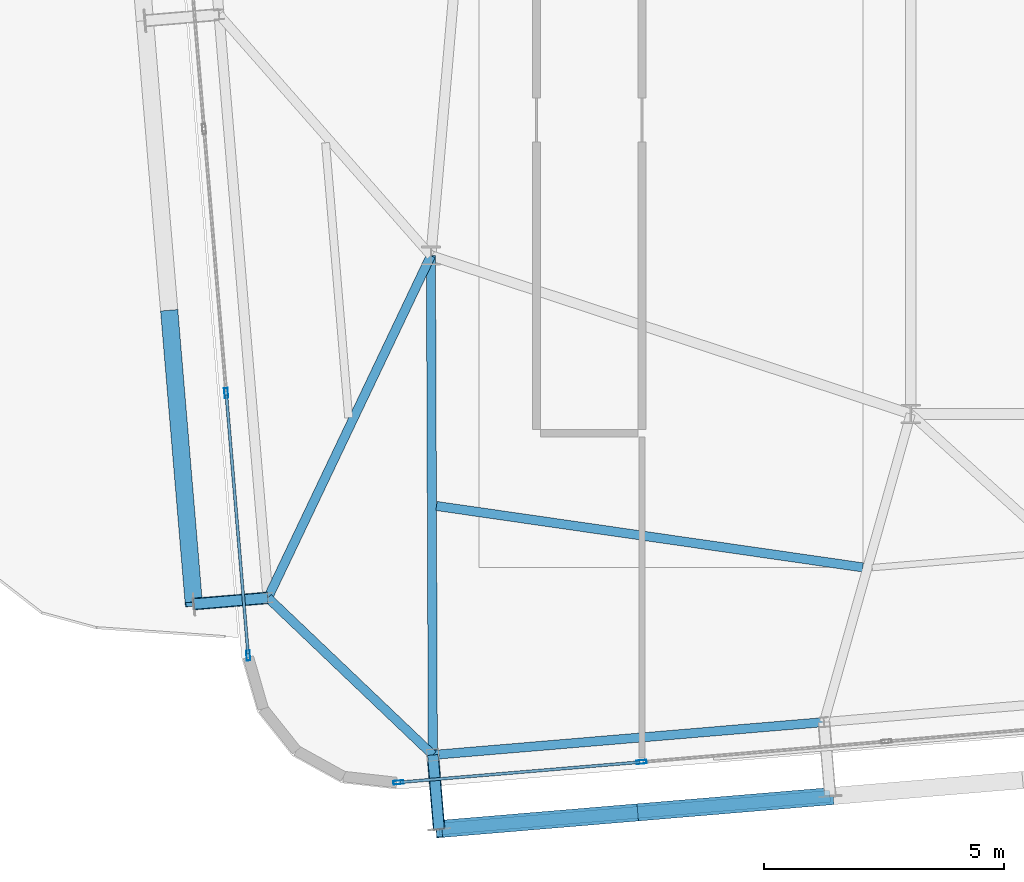
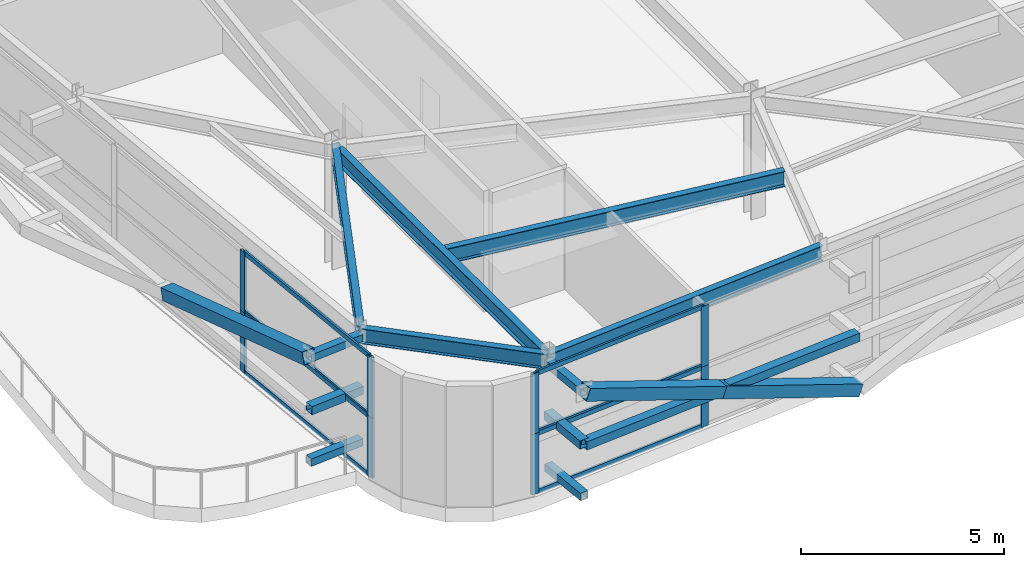
# One storey, part 7 of 38: 26 members, 5 beams, 4 elements without a shape of their own.
"""IFC4 building model written with IfcOpenShell, lengths in metres."""

from ifc_helpers import new_model, si_unit, direction, frame, origin, origin_2d, place, context, subcontext, project, spatial, hollow_rectangle, i_section, extrude, source, transform, mapped, material, layer, layer_set, material_profile, profile_set, type_object, element, aggregate, save


model = new_model("IFC4")

# Units and contexts
model_context = context("Model", 3, precision=1e-05, world=origin(), true_north=direction((0.0, 1.0)))
body_context = subcontext(model_context, "Body", "Model", "MODEL_VIEW")
ifc_project = project(units=[si_unit("LENGTHUNIT", "METRE"), si_unit("AREAUNIT", "SQUARE_METRE"), si_unit("VOLUMEUNIT", "CUBIC_METRE"), si_unit("PLANEANGLEUNIT", "RADIAN"), si_unit("MASSUNIT", "GRAM", prefix="KILO")], contexts=[model_context])

# Site, building, storey
site_placement = place(None, origin())
site = spatial("IfcSite", under=ifc_project, at=site_placement, CompositionType="ELEMENT")
building_placement = place(site_placement, origin())
building = spatial("IfcBuilding", under=site, at=building_placement, Name="Taldren Reach Tower", CompositionType="ELEMENT")
storey_placement = place(building_placement, frame((0.0, 0.0, 168.699951171875)))
storey = spatial("IfcBuildingStorey", under=building, at=storey_placement, Name="L51", CompositionType="ELEMENT", Elevation=168.699951171875)

# Member
ifc_material_1 = material(Name="Steel Gr 350 (C350L0)", Category="steel")
ifc_material_profile_1 = material_profile(ifc_material_1, hollow_rectangle(XDim=0.25, YDim=0.25, WallThickness=0.010009765625, at=origin_2d()), Name="250x250x10.0SHS")
ifc_profile_set_1 = profile_set([ifc_material_profile_1], Name="Steel Gr 350 (C350L0)")
member_type_1 = type_object("IfcMemberType", Name="MB-POST250", PredefinedType="POST", material=ifc_profile_set_1)
shared_shape_1 = source(origin(), body_context, "Body", "SweptSolid", [
    extrude(hollow_rectangle(XDim=0.25, YDim=0.25, WallThickness=0.010009765625, at=origin_2d()), origin(), (0.0, 0.0, 1.0), 1.5498046875),
])
member_1_placement = place(storey_placement, frame((18.03955078125, 2.093994140625, 1.78515625), z_axis=(0.083801560254, -0.996482462715, 0.0), x_axis=(0.996482462715, 0.083801560254, 0.0)))
element("IfcMember", 1, at=member_1_placement, inside=storey, type_object=member_type_1, Name="Exoskeleton mid-tier diaphragm tie B4-S1 L51", PredefinedType="POST", context=body_context, shape_type="MappedRepresentation", body=[
    mapped(shared_shape_1, transform((0.0, 0.0, 0.0), scale=1.0)),
])

# Beams
ifc_material_2 = material(Name="Steel Gr 350 (350PLUS)", Category="steel")
ifc_material_profile_2 = material_profile(ifc_material_2, i_section(OverallWidth=0.18994140625, OverallDepth=0.4541015625, WebThickness=0.008544921875, FlangeThickness=0.0126953125, at=origin_2d()), Name="460UB67.1")
ifc_profile_set_2 = profile_set([ifc_material_profile_2], Name="Steel Gr 350 (350PLUS)")
beam_type_1 = type_object("IfcBeamType", Name="SP-UB460B", PredefinedType="SPANDREL", material=ifc_profile_set_2)
shared_shape_2 = source(origin(), body_context, "Body", "SweptSolid", [
    extrude(i_section(OverallWidth=0.18994140625, OverallDepth=0.4541015625, WebThickness=0.008544921875, FlangeThickness=0.0126953125, at=origin_2d()), origin(), (0.0, 0.0, 1.0), 4.745849609375),
])
beam_1_placement = place(storey_placement, frame((14.603759765625, 5.367919921875, 3.403076171875), z_axis=(0.723954399605, -0.689847829084, 0.0), x_axis=(0.689847829084, 0.723954399605, 0.0)))
element("IfcBeam", 2, at=beam_1_placement, inside=storey, type_object=beam_type_1, Name="Perimeter spandrel B4 W1-S1 L51", PredefinedType="SPANDREL", context=body_context, shape_type="MappedRepresentation", body=[
    mapped(shared_shape_2, transform((0.0, 0.0, 0.0), scale=1.0)),
])
shared_shape_3 = source(origin(), body_context, "Body", "SweptSolid", [
    extrude(i_section(OverallWidth=0.18994140625, OverallDepth=0.4541015625, WebThickness=0.008544921875, FlangeThickness=0.0126953125, at=origin_2d()), origin(), (0.0, 0.0, 1.0), 8.18017578125),
])
beam_2_placement = place(storey_placement, frame((18.03955078125, 2.093994140625, 3.403076171875), z_axis=(0.996492034688, 0.083687662192, 0.0), x_axis=(-0.083687662192, 0.996492034688, 0.0)))
element("IfcBeam", 3, at=beam_2_placement, inside=storey, type_object=beam_type_1, Name="Perimeter spandrel B4 S1-S2 L51", PredefinedType="SPANDREL", context=body_context, shape_type="MappedRepresentation", body=[
    mapped(shared_shape_3, transform((0.0, 0.0, 0.0), scale=1.0)),
])
ifc_material_profile_3 = material_profile(ifc_material_2, i_section(OverallWidth=0.19091796875, OverallDepth=0.4599609375, WebThickness=0.010009765625, FlangeThickness=0.01611328125, at=origin_2d()), Name="460UB82.1")
ifc_profile_set_3 = profile_set([ifc_material_profile_3], Name="Steel Gr 350 (350PLUS)")
beam_type_2 = type_object("IfcBeamType", Name="BM-UB460A", PredefinedType="BEAM", material=ifc_profile_set_3)
shared_shape_4 = source(origin(), body_context, "Body", "SweptSolid", [
    extrude(i_section(OverallWidth=0.19091796875, OverallDepth=0.4599609375, WebThickness=0.010009765625, FlangeThickness=0.01611328125, at=origin_2d()), origin(), (0.0, 0.0, 1.0), 10.406005859375),
])
beam_3_placement = place(storey_placement, frame((18.0, 12.5, 3.400146484375), z_axis=(0.003800737393, -0.999992777172, 0.0), x_axis=(0.999992777172, 0.003800737393, 0.0)))
element("IfcBeam", 4, at=beam_3_placement, inside=storey, type_object=beam_type_2, Name="Primary floor girder B4-S1 L51", PredefinedType="BEAM", context=body_context, shape_type="MappedRepresentation", body=[
    mapped(shared_shape_4, transform((0.0, 0.0, 0.0), scale=1.0)),
])
shared_shape_5 = source(origin(), body_context, "Body", "SweptSolid", [
    extrude(i_section(OverallWidth=0.19091796875, OverallDepth=0.4599609375, WebThickness=0.010009765625, FlangeThickness=0.01611328125, at=origin_2d()), origin(), (0.0, 0.0, 1.0), 7.8994140625),
])
beam_4_placement = place(storey_placement, frame((18.0, 12.5, 3.400146484375), z_axis=(-0.429934780074, -0.902859947546, 0.0), x_axis=(0.902859947546, -0.429934780074, 0.0)))
element("IfcBeam", 5, at=beam_4_placement, inside=storey, type_object=beam_type_2, Name="Primary floor girder B4-W1 L51", PredefinedType="BEAM", context=body_context, shape_type="MappedRepresentation", body=[
    mapped(shared_shape_5, transform((0.0, 0.0, 0.0), scale=1.0)),
])
shared_shape_6 = source(origin(), body_context, "Body", "SweptSolid", [
    extrude(i_section(OverallWidth=0.19091796875, OverallDepth=0.4599609375, WebThickness=0.010009765625, FlangeThickness=0.01611328125, at=origin_2d()), origin(), (0.0, 0.0, 1.0), 8.9765625),
])
beam_5_placement = place(storey_placement, frame((18.115478515625, 7.283203125, 3.400146484375), z_axis=(0.989776873291, -0.142624475806, 0.0), x_axis=(0.142624475806, 0.989776873291, 0.0)))
element("IfcBeam", 6, at=beam_5_placement, inside=storey, type_object=beam_type_2, Name="Secondary floor beam B4 J1 L51", PredefinedType="BEAM", context=body_context, shape_type="MappedRepresentation", body=[
    mapped(shared_shape_6, transform((0.0, 0.0, 0.0), scale=1.0)),
])

# Members
ifc_material_3 = material(Name="Steel Gr 450 (C450L0)", Category="steel")
ifc_material_profile_4 = material_profile(ifc_material_3, hollow_rectangle(XDim=0.219970703125, YDim=0.219970703125, WallThickness=0.00830078125, at=origin_2d()), Name="220x220x8.2SHS")
ifc_profile_set_4 = profile_set([ifc_material_profile_4], Name="Steel Gr 450 (C450L0)")
member_type_2 = type_object("IfcMemberType", Name="MB-TIE219", PredefinedType="STRUT", material=ifc_profile_set_4)
shared_shape_7 = source(origin(), body_context, "Body", "SweptSolid", [
    extrude(hollow_rectangle(XDim=0.219970703125, YDim=0.219970703125, WallThickness=0.00830078125, at=origin_2d()), origin(), (0.0, 0.0, 1.0), 1.5498046875),
])
for number, where, z_axis, x_axis, name in (
    (7, (18.03955078125, 2.093994140625, 3.35009765625), (0.083801560254, -0.996482462715, 0.0), (0.996482462715, 0.083801560254, 0.0), "Exoskeleton diaphragm tie strut B4-S1 L51"),
    (8, (18.03955078125, 2.093994140625, 0.219970703125), (0.083801560254, -0.996482462715, 0.0), (0.996482462715, 0.083801560254, 0.0), "Exoskeleton base diaphragm tie strut B4-S1 L51"),
):
    element("IfcMember", number, at=place(storey_placement, frame(where, z_axis=z_axis, x_axis=x_axis)), inside=storey, type_object=member_type_2, Name=name, PredefinedType="STRUT", context=body_context, shape_type="MappedRepresentation", body=[
        mapped(shared_shape_7, transform((0.0, 0.0, 0.0), scale=1.0)),
    ])
shared_shape_8 = source(origin(), body_context, "Body", "SweptSolid", [
    extrude(hollow_rectangle(XDim=0.219970703125, YDim=0.219970703125, WallThickness=0.00830078125, at=origin_2d()), origin(), (0.0, 0.0, 1.0), 1.54541015625),
])
for number, where, z_axis, x_axis, name in (
    (9, (14.59912109375, 5.36767578125, 3.35009765625), (-0.99648887425, -0.083725285883, 0.0), (0.083725285883, -0.99648887425, 0.0), "Exoskeleton diaphragm tie strut B4-W1 L51"),
    (10, (14.59912109375, 5.36767578125, 0.219970703125), (-0.99648887425, -0.083725285883, 0.0), (0.083725285883, -0.99648887425, 0.0), "Exoskeleton base diaphragm tie strut B4-W1 L51"),
):
    element("IfcMember", number, at=place(storey_placement, frame(where, z_axis=z_axis, x_axis=x_axis)), inside=storey, type_object=member_type_2, Name=name, PredefinedType="STRUT", context=body_context, shape_type="MappedRepresentation", body=[
        mapped(shared_shape_8, transform((0.0, 0.0, 0.0), scale=1.0)),
    ])
ifc_material_profile_5 = material_profile(ifc_material_3, hollow_rectangle(XDim=0.360107421875, YDim=0.360107421875, WallThickness=0.0126953125, at=origin_2d()), Name="360x360x12.7SHS")
ifc_profile_set_5 = profile_set([ifc_material_profile_5], Name="Steel Gr 450 (C450L0)")
member_type_3 = type_object("IfcMemberType", Name="MB-EXO356", PredefinedType="BRACE", material=ifc_profile_set_5)
shared_shape_9 = source(origin(), body_context, "Body", "SweptSolid", [
    extrude(hollow_rectangle(XDim=0.360107421875, YDim=0.360107421875, WallThickness=0.0126953125, at=origin_2d()), origin(), (0.0, 0.0, 1.0), 4.379150390625),
])
for number, where, z_axis, x_axis, name in (
    (11, (26.320556640625, 1.23388671875, 0.219970703125), (-0.930665234781, -0.078164060334, 0.357424957778), (0.083692640416, -0.996491616593, 0.0), "Exoskeleton Diagrid Brace B4-S1 L51"),
    (12, (22.2451171875, 0.8916015625, 1.78515625), (-0.930695294126, -0.078106152334, 0.357359340802), (0.083628388178, -0.996497010879, 0.0), "Exoskeleton Diagrid Brace B4-S1 L51"),
):
    element("IfcMember", number, at=place(storey_placement, frame(where, z_axis=z_axis, x_axis=x_axis)), inside=storey, type_object=member_type_3, Name=name, PredefinedType="BRACE", context=body_context, shape_type="MappedRepresentation", body=[
        mapped(shared_shape_9, transform((0.0, 0.0, 0.0), scale=1.0)),
    ])
shared_shape_10 = source(origin(), body_context, "Body", "SweptSolid", [
    extrude(hollow_rectangle(XDim=0.25, YDim=0.25, WallThickness=0.010009765625, at=origin_2d()), origin(), (0.0, 0.0, 1.0), 8.1796875),
])
member_2_placement = place(storey_placement, frame((18.16943359375, 0.549560546875, 1.78515625), z_axis=(0.996494314327, 0.083660513465, 0.0), x_axis=(-0.083660513465, 0.996494314327, 0.0)))
element("IfcMember", 13, at=member_2_placement, inside=storey, type_object=member_type_1, Name="Exoskeleton mid-height ring chord B4-S1 L51", PredefinedType="POST", context=body_context, shape_type="MappedRepresentation", body=[
    mapped(shared_shape_10, transform((0.0, 0.0, 0.0), scale=1.0)),
])
shared_shape_11 = source(origin(), body_context, "Body", "SweptSolid", [
    extrude(hollow_rectangle(XDim=0.360107421875, YDim=0.360107421875, WallThickness=0.0126953125, at=origin_2d()), origin(), (0.0, 0.0, 1.0), 6.297607421875),
])
member_3_placement = place(storey_placement, frame((12.548583984375, 11.31689453125, 1.78515625), z_axis=(0.081062906043, -0.965233971624, 0.248499869793), x_axis=(0.996492003099, 0.083688038336, 0.0)))
element("IfcMember", 14, at=member_3_placement, inside=storey, type_object=member_type_3, Name="Exoskeleton Diagrid Brace B4-W1 L51", PredefinedType="BRACE", context=body_context, shape_type="MappedRepresentation", body=[
    mapped(shared_shape_11, transform((0.0, 0.0, 0.0), scale=1.0)),
])
shared_shape_12 = source(origin(), body_context, "Body", "SweptSolid", [
    extrude(hollow_rectangle(XDim=0.25, YDim=0.25, WallThickness=0.010009765625, at=origin_2d()), origin(), (0.0, 0.0, 1.0), 1.54541015625),
])
member_4_placement = place(storey_placement, frame((14.59912109375, 5.36767578125, 1.78515625), z_axis=(-0.99648887425, -0.083725285883, 0.0), x_axis=(0.083725285883, -0.99648887425, 0.0)))
element("IfcMember", 15, at=member_4_placement, inside=storey, type_object=member_type_1, Name="Exoskeleton mid-tier diaphragm tie B4-W1 L51", PredefinedType="POST", context=body_context, shape_type="MappedRepresentation", body=[
    mapped(shared_shape_12, transform((0.0, 0.0, 0.0), scale=1.0)),
])

# Curtain wall, members
ifc_material_4 = material(Name="Aluminium and Low-E Glass Unitised System", Category="aluminium")
ifc_layer = layer(ifc_material_4, 0.159912109375)
ifc_layer_set = layer_set([ifc_layer], Name="Aluminium and Low-E Glass Unitised System")
curtain_wall_type = type_object("IfcCurtainWallType", Name="CW-SYS-7", PredefinedType="NOTDEFINED", material=ifc_layer_set)
curtain_wall_1_placement = place(storey_placement, origin())
curtain_wall_1 = element("IfcCurtainWall", 16, at=curtain_wall_1_placement, inside=storey, type_object=curtain_wall_type, Name="Unitised curtain wall CW-L51-S1", PredefinedType="NOTDEFINED")
ifc_material_5 = material(Name="Anodised Aluminium 6063-T6", Category="aluminium")
ifc_material_profile_6 = material_profile(ifc_material_5, hollow_rectangle(XDim=0.074951171875, YDim=0.2099609375, WallThickness=0.00439453125, at=origin_2d()), Name="ALU-210x75x4.5RHS")
ifc_profile_set_6 = profile_set([ifc_material_profile_6], Name="Anodised Aluminium 6063-T6")
member_type_4 = type_object("IfcMemberType", Name="CW-MUL-200", PredefinedType="MULLION", material=ifc_profile_set_6)
shared_shape_13 = source(origin(), body_context, "Body", "SweptSolid", [
    extrude(hollow_rectangle(XDim=0.074951171875, YDim=0.2099609375, WallThickness=0.00439453125, at=origin_2d()), origin(), (0.0, 0.0, 1.0), 1.81494140625),
])
member_5_placement = place(storey_placement, frame((17.322509765625, 1.52197265625, 0.0), z_axis=(0.0, 0.0, 1.0), x_axis=(-0.083677915318, 0.996492853205, 0.0)))
member_5 = element("IfcMember", 17, at=member_5_placement, type_object=member_type_4, Name="CW-7 mullion 1", PredefinedType="MULLION", context=body_context, shape_type="MappedRepresentation", body=[
    mapped(shared_shape_13, transform((0.0, 0.0, 0.0), scale=1.0)),
])
member_6_placement = place(storey_placement, frame((22.39013671875, 1.947509765625, 0.0), z_axis=(0.0, 0.0, 1.0), x_axis=(-0.083677915318, 0.996492853205, 0.0)))
member_6 = element("IfcMember", 18, at=member_6_placement, type_object=member_type_4, Name="CW-7 mullion 2", PredefinedType="MULLION", context=body_context, shape_type="MappedRepresentation", body=[
    mapped(shared_shape_13, transform((0.0, 0.0, 0.0), scale=1.0)),
])

curtain_wall_2_placement = place(storey_placement, origin())
curtain_wall_2 = element("IfcCurtainWall", 19, at=curtain_wall_2_placement, inside=storey, type_object=curtain_wall_type, Name="Unitised curtain wall CW-L51-W2", PredefinedType="NOTDEFINED")
member_7_placement = place(storey_placement, frame((13.7333984375, 9.63525390625, 0.0), z_axis=(0.0, 0.0, 1.0), x_axis=(0.996492859829, 0.083677836428, 0.0)))
member_7 = element("IfcMember", 20, at=member_7_placement, type_object=member_type_4, Name="CW-7 mullion 4", PredefinedType="MULLION", context=body_context, shape_type="MappedRepresentation", body=[
    mapped(shared_shape_13, transform((0.0, 0.0, 0.0), scale=1.0)),
])
member_8_placement = place(storey_placement, frame((14.192626953125, 4.1669921875, 0.0), z_axis=(0.0, 0.0, 1.0), x_axis=(0.996492859829, 0.083677836428, 0.0)))
member_8 = element("IfcMember", 21, at=member_8_placement, type_object=member_type_4, Name="CW-7 mullion 5", PredefinedType="MULLION", context=body_context, shape_type="MappedRepresentation", body=[
    mapped(shared_shape_13, transform((0.0, 0.0, 0.0), scale=1.0)),
])

# Member
ifc_material_profile_7 = material_profile(ifc_material_5, hollow_rectangle(XDim=0.06005859375, YDim=0.135009765625, WallThickness=0.00341796875, at=origin_2d()), Name="ALU-135x60x3.5RHS")
ifc_profile_set_7 = profile_set([ifc_material_profile_7], Name="Anodised Aluminium 6063-T6")
member_type_5 = type_object("IfcMemberType", Name="CW-TRN-150", PredefinedType="USERDEFINED", material=ifc_profile_set_7)
shared_shape_14 = source(origin(), body_context, "Body", "SweptSolid", [
    extrude(hollow_rectangle(XDim=0.06005859375, YDim=0.135009765625, WallThickness=0.00341796875, at=origin_2d()), origin(), (0.0, 0.0, 1.0), 5.010498046875),
])
member_9_placement = place(storey_placement, frame((17.35986328125, 1.525146484375, 0.030029296875), z_axis=(0.996494152993, 0.083662435122, 0.0), x_axis=(-0.083662435122, 0.996494152993, 0.0)))
member_9 = element("IfcMember", 22, at=member_9_placement, type_object=member_type_5, Name="CW-7 transom 1.1", ObjectType="TRANSOM", PredefinedType="USERDEFINED", context=body_context, shape_type="MappedRepresentation", body=[
    mapped(shared_shape_14, transform((0.0, 0.0, 0.0), scale=1.0)),
])

member_10_placement = place(storey_placement, frame((17.35986328125, 1.525146484375, 1.78515625), z_axis=(0.996494152993, 0.083662435122, 0.0), x_axis=(-0.083662435122, 0.996494152993, 0.0)))
member_10 = element("IfcMember", 23, at=member_10_placement, type_object=member_type_5, Name="CW-7 transom 1.2", ObjectType="TRANSOM", PredefinedType="USERDEFINED", context=body_context, shape_type="MappedRepresentation", body=[
    mapped(shared_shape_14, transform((0.0, 0.0, 0.0), scale=1.0)),
])

aggregate(curtain_wall_1, [member_5, member_6, member_9, member_10])

# Curtain wall, members
curtain_wall_3_placement = place(storey_placement, origin())
curtain_wall_3 = element("IfcCurtainWall", 24, at=curtain_wall_3_placement, inside=storey, type_object=curtain_wall_type, Name="Unitised curtain wall CW-L51-S1-T2", PredefinedType="NOTDEFINED")
member_11_placement = place(storey_placement, frame((17.35986328125, 1.525146484375, 1.844970703125), z_axis=(0.996494152993, 0.083662435122, 0.0), x_axis=(-0.083662435122, 0.996494152993, 0.0)))
member_11 = element("IfcMember", 25, at=member_11_placement, type_object=member_type_5, Name="CW-7 transom 1.1", ObjectType="TRANSOM", PredefinedType="USERDEFINED", context=body_context, shape_type="MappedRepresentation", body=[
    mapped(shared_shape_14, transform((0.0, 0.0, 0.0), scale=1.0)),
])
member_12_placement = place(storey_placement, frame((17.35986328125, 1.525146484375, 3.60009765625), z_axis=(0.996494152993, 0.083662435122, 0.0), x_axis=(-0.083662435122, 0.996494152993, 0.0)))
member_12 = element("IfcMember", 26, at=member_12_placement, type_object=member_type_5, Name="CW-7 transom 1.2", ObjectType="TRANSOM", PredefinedType="USERDEFINED", context=body_context, shape_type="MappedRepresentation", body=[
    mapped(shared_shape_14, transform((0.0, 0.0, 0.0), scale=1.0)),
])
shared_shape_15 = source(origin(), body_context, "Body", "SweptSolid", [
    extrude(hollow_rectangle(XDim=0.074951171875, YDim=0.2099609375, WallThickness=0.00439453125, at=origin_2d()), origin(), (0.0, 0.0, 1.0), 1.815185546875),
])
member_13_placement = place(storey_placement, frame((17.322509765625, 1.52197265625, 1.81494140625), z_axis=(0.0, 0.0, 1.0), x_axis=(-0.083677915318, 0.996492853205, 0.0)))
member_13 = element("IfcMember", 27, at=member_13_placement, type_object=member_type_4, Name="CW-7 mullion 1", PredefinedType="MULLION", context=body_context, shape_type="MappedRepresentation", body=[
    mapped(shared_shape_15, transform((0.0, 0.0, 0.0), scale=1.0)),
])
member_14_placement = place(storey_placement, frame((22.39013671875, 1.947509765625, 1.81494140625), z_axis=(0.0, 0.0, 1.0), x_axis=(-0.083677915318, 0.996492853205, 0.0)))
member_14 = element("IfcMember", 28, at=member_14_placement, type_object=member_type_4, Name="CW-7 mullion 2", PredefinedType="MULLION", context=body_context, shape_type="MappedRepresentation", body=[
    mapped(shared_shape_15, transform((0.0, 0.0, 0.0), scale=1.0)),
])
aggregate(curtain_wall_3, [member_13, member_14, member_11, member_12])

curtain_wall_4_placement = place(storey_placement, origin())
curtain_wall_4 = element("IfcCurtainWall", 29, at=curtain_wall_4_placement, inside=storey, type_object=curtain_wall_type, Name="Unitised curtain wall CW-L51-W2-T2", PredefinedType="NOTDEFINED")
member_15_placement = place(storey_placement, frame((13.7333984375, 9.63525390625, 1.81494140625), z_axis=(0.0, 0.0, 1.0), x_axis=(0.996492859829, 0.083677836428, 0.0)))
member_15 = element("IfcMember", 30, at=member_15_placement, type_object=member_type_4, Name="CW-7 mullion 4", PredefinedType="MULLION", context=body_context, shape_type="MappedRepresentation", body=[
    mapped(shared_shape_15, transform((0.0, 0.0, 0.0), scale=1.0)),
])
member_16_placement = place(storey_placement, frame((14.192626953125, 4.1669921875, 1.81494140625), z_axis=(0.0, 0.0, 1.0), x_axis=(0.996492859829, 0.083677836428, 0.0)))
member_16 = element("IfcMember", 31, at=member_16_placement, type_object=member_type_4, Name="CW-7 mullion 5", PredefinedType="MULLION", context=body_context, shape_type="MappedRepresentation", body=[
    mapped(shared_shape_15, transform((0.0, 0.0, 0.0), scale=1.0)),
])

# Member
shared_shape_16 = source(origin(), body_context, "Body", "SweptSolid", [
    extrude(hollow_rectangle(XDim=0.06005859375, YDim=0.135009765625, WallThickness=0.00341796875, at=origin_2d()), origin(), (0.0, 0.0, 1.0), 5.412353515625),
])
member_17_placement = place(storey_placement, frame((13.736572265625, 9.59765625, 0.030029296875), z_axis=(0.083676360728, -0.996492983746, 0.0), x_axis=(0.996492983746, 0.083676360728, 0.0)))
member_17 = element("IfcMember", 32, at=member_17_placement, type_object=member_type_5, Name="CW-7 transom 4.1", ObjectType="TRANSOM", PredefinedType="USERDEFINED", context=body_context, shape_type="MappedRepresentation", body=[
    mapped(shared_shape_16, transform((0.0, 0.0, 0.0), scale=1.0)),
])

member_18_placement = place(storey_placement, frame((13.736572265625, 9.59765625, 1.78515625), z_axis=(0.083676360728, -0.996492983746, 0.0), x_axis=(0.996492983746, 0.083676360728, 0.0)))
member_18 = element("IfcMember", 33, at=member_18_placement, type_object=member_type_5, Name="CW-7 transom 4.2", ObjectType="TRANSOM", PredefinedType="USERDEFINED", context=body_context, shape_type="MappedRepresentation", body=[
    mapped(shared_shape_16, transform((0.0, 0.0, 0.0), scale=1.0)),
])

aggregate(curtain_wall_2, [member_7, member_8, member_17, member_18])

member_19_placement = place(storey_placement, frame((13.736572265625, 9.59765625, 1.844970703125), z_axis=(0.083676360728, -0.996492983746, 0.0), x_axis=(0.996492983746, 0.083676360728, 0.0)))
member_19 = element("IfcMember", 34, at=member_19_placement, type_object=member_type_5, Name="CW-7 transom 4.1", ObjectType="TRANSOM", PredefinedType="USERDEFINED", context=body_context, shape_type="MappedRepresentation", body=[
    mapped(shared_shape_16, transform((0.0, 0.0, 0.0), scale=1.0)),
])

member_20_placement = place(storey_placement, frame((13.736572265625, 9.59765625, 3.60009765625), z_axis=(0.083676360728, -0.996492983746, 0.0), x_axis=(0.996492983746, 0.083676360728, 0.0)))
member_20 = element("IfcMember", 35, at=member_20_placement, type_object=member_type_5, Name="CW-7 transom 4.2", ObjectType="TRANSOM", PredefinedType="USERDEFINED", context=body_context, shape_type="MappedRepresentation", body=[
    mapped(shared_shape_16, transform((0.0, 0.0, 0.0), scale=1.0)),
])

aggregate(curtain_wall_4, [member_15, member_16, member_19, member_20])

save(model, "model.ifc")
